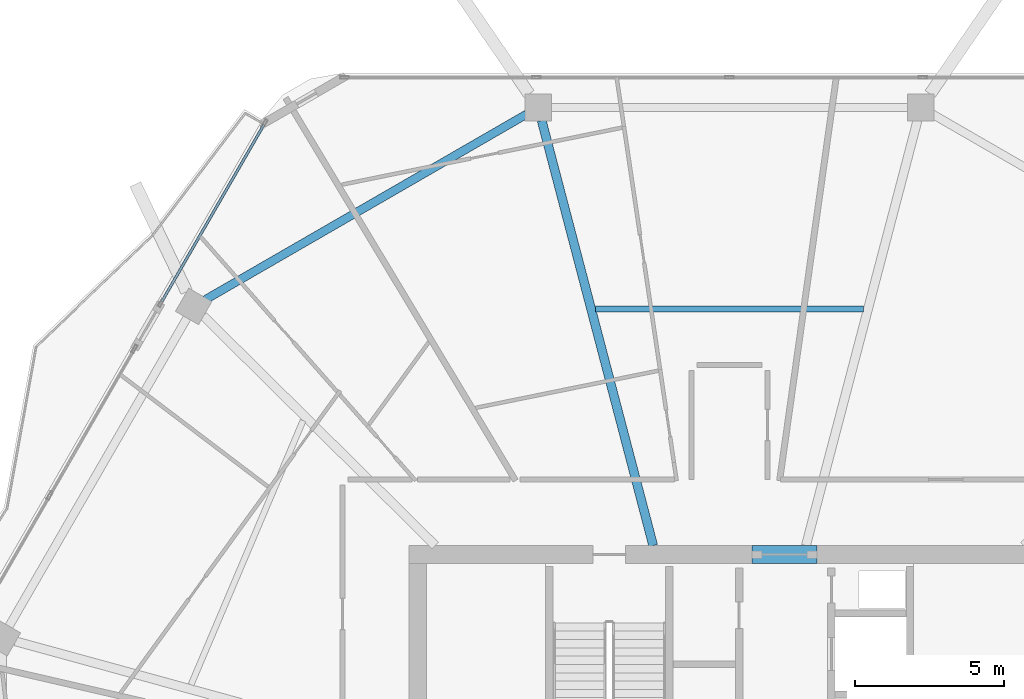
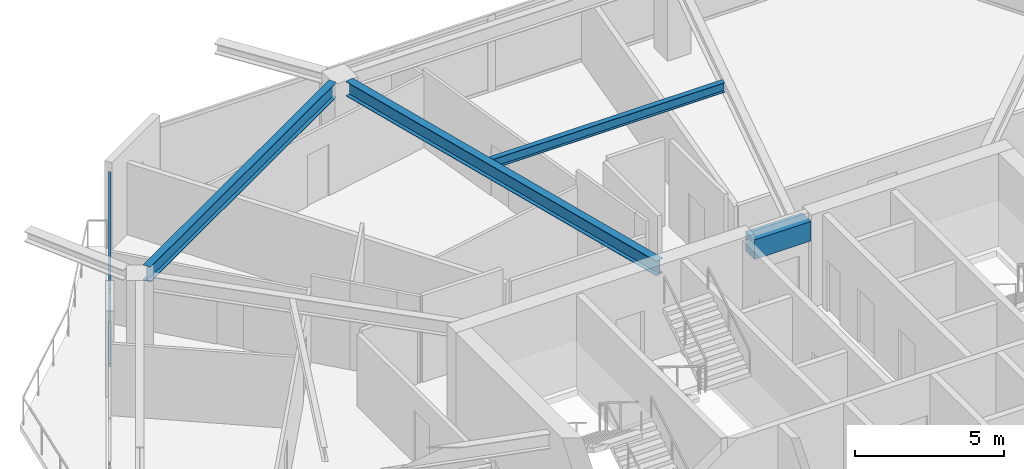
# One storey, part 12 of 25: 4 beams, 2 members, 1 element without a shape of its own.
"""IFC4 building model written with IfcOpenShell, lengths in metres."""

from ifc_helpers import new_model, si_unit, direction, frame, origin, origin_2d, place, context, subcontext, project, spatial, rectangle, hollow_rectangle, i_section, extrude, material, material_profile, profile_set, type_object, element, aggregate, save


model = new_model("IFC4")

# Units and contexts
model_context = context("Model", 3, precision=1e-05, world=origin(), true_north=direction((0.0, 1.0)))
body_context = subcontext(model_context, "Body", "Model", "MODEL_VIEW")
ifc_project = project(units=[si_unit("LENGTHUNIT", "METRE"), si_unit("AREAUNIT", "SQUARE_METRE"), si_unit("VOLUMEUNIT", "CUBIC_METRE"), si_unit("PLANEANGLEUNIT", "RADIAN"), si_unit("MASSUNIT", "GRAM", prefix="KILO")], contexts=[model_context])

# Site, building, storey
site_placement = place(None, origin())
site = spatial("IfcSite", under=ifc_project, at=site_placement, CompositionType="ELEMENT")
building_placement = place(site_placement, origin())
building = spatial("IfcBuilding", under=site, at=building_placement, Name="Zuhravey Tower", CompositionType="ELEMENT")
storey_placement = place(building_placement, frame((0.0, 0.0, 257.800048828125)))
storey = spatial("IfcBuildingStorey", under=building, at=storey_placement, Name="L65", CompositionType="ELEMENT", Elevation=257.800048828125)

# Beam
ifc_material_1 = material(Name="Concrete C50/60", Category="concrete")
ifc_material_profile_1 = material_profile(ifc_material_1, rectangle(XDim=0.60009765625, YDim=0.800048828125, at=origin_2d()), Name="RC-600x800")
ifc_profile_set_1 = profile_set([ifc_material_profile_1], Name="Concrete C50/60")
beam_type_1 = type_object("IfcBeamType", Name="Core Coupling Beam RC600x800", PredefinedType="LINTEL", material=ifc_profile_set_1)
beam_1_placement = place(storey_placement, frame((36.751953125, 41.5, 3.14990234375), z_axis=(1.0, 0.0, 0.0), x_axis=(0.0, 1.0, 0.0)))
element("IfcBeam", 1, at=beam_1_placement, inside=storey, type_object=beam_type_1, Name="L65 CB2 BM-L65-CB-N", PredefinedType="LINTEL", context=body_context, shape_type="SweptSolid", body=[
    extrude(rectangle(XDim=0.60009765625, YDim=0.800048828125, at=origin_2d()), origin(), (0.0, 0.0, 1.0), 2.196044921875),
])

# Curtain wall, members
ifc_material_2 = material(Name="Thermally broken anodised aluminium", Category="aluminium")
curtain_wall_type = type_object("IfcCurtainWallType", Name="Zone 3-4 High-Rise Curtain Wall CW4", PredefinedType="NOTDEFINED", material=ifc_material_2)
curtain_wall_placement = place(storey_placement, origin())
curtain_wall = element("IfcCurtainWall", 2, at=curtain_wall_placement, inside=storey, type_object=curtain_wall_type, Name="L65 CW4 CW-L65-F3-2", PredefinedType="NOTDEFINED")
ifc_material_3 = material(Name="Anodised aluminium", Category="aluminium")
ifc_material_profile_2 = material_profile(ifc_material_3, hollow_rectangle(XDim=0.090087890625, YDim=0.14990234375, WallThickness=0.0048828125, at=origin_2d()), Name="ALU-RHS-90x150x5")
ifc_profile_set_2 = profile_set([ifc_material_profile_2], Name="Anodised aluminium")
member_type = type_object("IfcMemberType", Name="Curtain-Wall Transom 90x150", PredefinedType="USERDEFINED", material=ifc_profile_set_2)
member_1_placement = place(storey_placement, frame((16.88134765625, 50.0126953125, 0.044921875), z_axis=(0.499988574038, 0.866032000466, 0.0), x_axis=(-0.866032000466, 0.499988574038, 0.0)))
member_1 = element("IfcMember", 3, at=member_1_placement, type_object=member_type, Name="CW4 transom 1.1", ObjectType="TRANSOM", PredefinedType="USERDEFINED", context=body_context, shape_type="SweptSolid", body=[
    extrude(hollow_rectangle(XDim=0.090087890625, YDim=0.14990234375, WallThickness=0.0048828125, at=origin_2d()), origin(), (0.0, 0.0, 1.0), 6.882568359375),
])
member_2_placement = place(storey_placement, frame((16.88134765625, 50.0126953125, 3.076904296875), z_axis=(0.499988574038, 0.866032000466, 0.0), x_axis=(-0.866032000466, 0.499988574038, 0.0)))
member_2 = element("IfcMember", 4, at=member_2_placement, type_object=member_type, Name="CW4 transom 1.2", ObjectType="TRANSOM", PredefinedType="USERDEFINED", context=body_context, shape_type="SweptSolid", body=[
    extrude(hollow_rectangle(XDim=0.090087890625, YDim=0.14990234375, WallThickness=0.0048828125, at=origin_2d()), origin(), (0.0, 0.0, 1.0), 6.882568359375),
])
aggregate(curtain_wall, [member_1, member_2])

# Beams
ifc_material_4 = material(Name="Steel SM355", Category="steel")
ifc_material_profile_3 = material_profile(ifc_material_4, i_section(OverallWidth=0.280029296875, OverallDepth=0.6201171875, WebThickness=0.011962890625, FlangeThickness=0.02001953125, at=origin_2d()), Name="H-620x280x12x20")
ifc_profile_set_3 = profile_set([ifc_material_profile_3], Name="Steel SM355")
beam_type_2 = type_object("IfcBeamType", Name="Perimeter Ring Beam H620x280", PredefinedType="BEAM", material=ifc_profile_set_3)
beam_2_placement = place(storey_placement, frame((29.166748046875, 56.3271484375, 3.239990234375), z_axis=(-0.866025131093, -0.500000472315, 0.0), x_axis=(0.500000472315, -0.866025131093, 0.0)))
element("IfcBeam", 5, at=beam_2_placement, inside=storey, type_object=beam_type_2, Name="L65 PB3 BM-L65-PB-04", PredefinedType="BEAM", context=body_context, shape_type="SweptSolid", body=[
    extrude(i_section(OverallWidth=0.280029296875, OverallDepth=0.6201171875, WebThickness=0.011962890625, FlangeThickness=0.02001953125, at=origin_2d()), origin(), (0.0, 0.0, 1.0), 12.49169921875),
])
ifc_material_profile_4 = material_profile(ifc_material_4, i_section(OverallWidth=0.300048828125, OverallDepth=0.60009765625, WebThickness=0.011962890625, FlangeThickness=0.02001953125, at=origin_2d()), Name="H-600x300x12x20")
ifc_profile_set_4 = profile_set([ifc_material_profile_4], Name="Steel SM355")
beam_type_3 = type_object("IfcBeamType", Name="Radial Primary Girder H600x300", PredefinedType="BEAM", material=ifc_profile_set_4)
beam_3_placement = place(storey_placement, frame((33.428466796875, 41.802978515625, 3.25), z_axis=(-0.253731415841, 0.967274712073, 0.0), x_axis=(-0.967274712073, -0.253731415841, 0.0)))
element("IfcBeam", 6, at=beam_3_placement, inside=storey, type_object=beam_type_3, Name="L65 RG3 BM-L65-RAD-04", PredefinedType="BEAM", context=body_context, shape_type="SweptSolid", body=[
    extrude(i_section(OverallWidth=0.300048828125, OverallDepth=0.60009765625, WebThickness=0.011962890625, FlangeThickness=0.02001953125, at=origin_2d()), origin(), (0.0, 0.0, 1.0), 14.796630859375),
])
ifc_material_profile_5 = material_profile(ifc_material_4, i_section(OverallWidth=0.199951171875, OverallDepth=0.39990234375, WebThickness=0.008056640625, FlangeThickness=0.012939453125, at=origin_2d()), Name="H-400x200x8x13")
ifc_profile_set_5 = profile_set([ifc_material_profile_5], Name="Steel SM355")
beam_type_4 = type_object("IfcBeamType", Name="Secondary Floor Joist H400x200", PredefinedType="JOIST", material=ifc_profile_set_5)
beam_4_placement = place(storey_placement, frame((40.507080078125, 49.768310546875, 3.349853515625), z_axis=(-1.0, 0.0, 0.0), x_axis=(0.0, -1.0, 0.0)))
element("IfcBeam", 7, at=beam_4_placement, inside=storey, type_object=beam_type_4, Name="L65 SJ2 BM-L65-SJ-03-1", PredefinedType="JOIST", context=body_context, shape_type="SweptSolid", body=[
    extrude(i_section(OverallWidth=0.199951171875, OverallDepth=0.39990234375, WebThickness=0.008056640625, FlangeThickness=0.012939453125, at=origin_2d()), origin(), (0.0, 0.0, 1.0), 9.01416015625),
])

save(model, "model.ifc")
